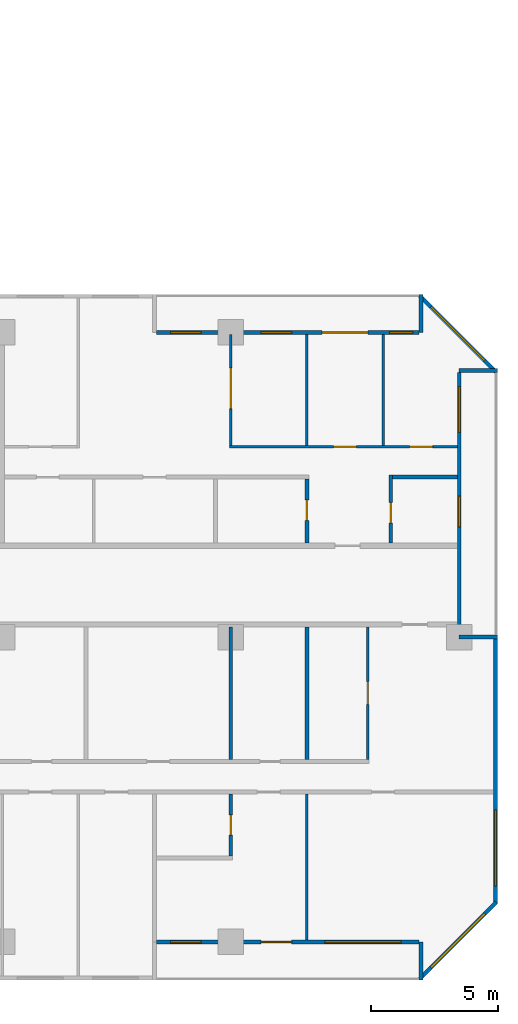
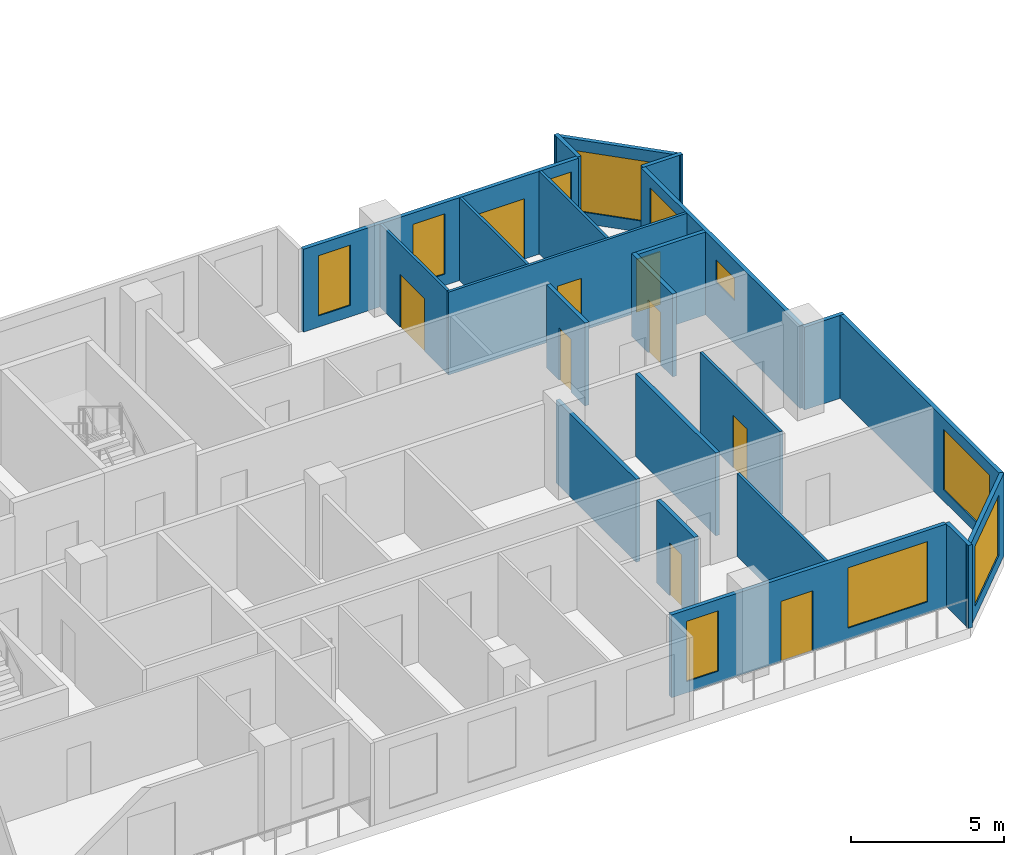
# One storey, part 12 of 15: 22 walls, 10 windows, 9 doors, 19 openings.
"""IFC4 building model written with IfcOpenShell, lengths in metres."""

import ifcopenshell
import ifcopenshell.guid

model = None  # the IFC model being written
_history = None  # IfcOwnerHistory: only IFC2X3 demands one
_inside = {}  # id of a spatial element -> (the spatial element, [elements in it])
_under = {}  # id of a project, library or spatial element -> (it, [spatial elements below it])
_declared = {}  # id of a project -> (the project, [libraries it declares])
_typed = {}  # id of a type object -> (the type object, [elements of that type])
_made_of = {}  # id of a material, layer set ... -> (it, [elements and type objects made of it])


def new_model(schema):
    """Start an empty IFC model of exactly this schema.

    Asked for "IFC4X3", IfcOpenShell would pick the latest addendum, in which some entities
    have other attributes; the version numbers below select the first issue.
    IFC2X3 requires an IfcOwnerHistory on every rooted entity: one is made here for all.
    """
    global model, _history
    if schema == "IFC4X3":
        model = ifcopenshell.file(schema_version=(4, 3, 0, 0))
    else:
        model = ifcopenshell.file(schema=schema)
    _inside.clear()
    _under.clear()
    _declared.clear()
    _typed.clear()
    _made_of.clear()
    _history = None
    if model.schema == "IFC2X3":
        org = make("IfcOrganization", Name="unknown")
        user = make(
            "IfcPersonAndOrganization",
            ThePerson=make("IfcPerson", FamilyName="unknown"),
            TheOrganization=org,
        )
        app = make(
            "IfcApplication",
            ApplicationDeveloper=org,
            Version="unknown",
            ApplicationFullName="unknown",
            ApplicationIdentifier="unknown",
        )
        _history = make(
            "IfcOwnerHistory",
            OwningUser=user,
            OwningApplication=app,
            ChangeAction="ADDED",
            CreationDate=0,
        )
    return model


def make(cls, **values):
    """One entity of the class cls with the attributes given. An attribute that is None is left unset."""
    return model.create_entity(
        cls, **{name: value for name, value in values.items() if value is not None}
    )


def rooted(cls, **values):
    """An entity with a GlobalId (a new one), such as an element, a storey or a relation."""
    return make(cls, GlobalId=ifcopenshell.guid.new(), OwnerHistory=_history, **values)


def si_unit(unit_type, name, prefix=None):
    """IfcSIUnit, for example si_unit("LENGTHUNIT", "METRE", prefix="MILLI")."""
    return make("IfcSIUnit", UnitType=unit_type, Prefix=prefix, Name=name)


def assignment(units):
    """IfcUnitAssignment: the units of a project."""
    return None if units is None else make("IfcUnitAssignment", Units=units)


def point(xyz):
    """IfcCartesianPoint."""
    return None if xyz is None else make("IfcCartesianPoint", Coordinates=xyz)


def direction(xyz):
    """IfcDirection."""
    return None if xyz is None else make("IfcDirection", DirectionRatios=xyz)


def frame(location, z_axis=None, x_axis=None):
    """IfcAxis2Placement3D, a coordinate frame: its origin and axes. An axis left out is left unset."""
    return make(
        "IfcAxis2Placement3D",
        Location=point(location),
        Axis=direction(z_axis),
        RefDirection=direction(x_axis),
    )


def frame_2d(location, x_axis=None):
    """IfcAxis2Placement2D, a coordinate frame in the plane: its origin and x axis."""
    return make(
        "IfcAxis2Placement2D", Location=point(location), RefDirection=direction(x_axis)
    )


def origin():
    """The frame at (0, 0, 0) with its axes left unset."""
    return frame((0.0, 0.0, 0.0))


def place(relative_to, where):
    """IfcLocalPlacement: puts the frame where relative to a parent placement (None: the world)."""
    return make(
        "IfcLocalPlacement", PlacementRelTo=relative_to, RelativePlacement=where
    )


def context(
    kind, dimensions, precision=None, world=None, true_north=None, identifier=None
):
    """IfcGeometricRepresentationContext, for example the 3D "Model" context."""
    return make(
        "IfcGeometricRepresentationContext",
        ContextIdentifier=identifier,
        ContextType=kind,
        CoordinateSpaceDimension=dimensions,
        Precision=precision,
        WorldCoordinateSystem=world,
        TrueNorth=true_north,
    )


def subcontext(parent, identifier, kind, view, scale=None):
    """IfcGeometricRepresentationSubContext, for example "Body" below "Model"."""
    return make(
        "IfcGeometricRepresentationSubContext",
        ContextIdentifier=identifier,
        ContextType=kind,
        ParentContext=parent,
        TargetScale=scale,
        TargetView=view,
    )


def project(units=None, contexts=None):
    """IfcProject with its units and contexts."""
    return rooted(
        "IfcProject",
        Name="project",
        RepresentationContexts=contexts,
        UnitsInContext=assignment(units),
    )


def spatial(cls, under=None, at=None, **own):
    """A site, building, storey or space (cls), placed at a placement, below another one or the project."""
    s = rooted(cls, ObjectPlacement=at, **own)
    if under is not None:
        _under.setdefault(under.id(), (under, []))[1].append(s)
    return s


def profile(cls, at=None, kind="AREA", **sizes):
    """A parametric profile (cls). Its sizes go by their IFC names, for example OverallWidth=200.0."""
    return make(cls, ProfileType=kind, Position=at, **sizes)


def rectangle(**sizes):
    """IfcRectangleProfileDef."""
    return profile("IfcRectangleProfileDef", **sizes)


def extrude(swept, where, along, depth):
    """IfcExtrudedAreaSolid: the profile swept, set in the frame where, extruded along a direction by depth."""
    return make(
        "IfcExtrudedAreaSolid",
        SweptArea=swept,
        Position=where,
        ExtrudedDirection=direction(along),
        Depth=depth,
    )


def shape(context_of_items, identifier, shape_type, items):
    """IfcShapeRepresentation: the items that make up one representation, for example the "Body"."""
    return make(
        "IfcShapeRepresentation",
        ContextOfItems=context_of_items,
        RepresentationIdentifier=identifier,
        RepresentationType=shape_type,
        Items=items,
    )


def material(Name=None, Category=None):
    """IfcMaterial."""
    return make("IfcMaterial", Name=Name, Category=Category)


def layer(
    of_material, thickness, ventilated=None, Name=None, Category=None, Priority=None
):
    """IfcMaterialLayer: one layer of a wall or slab, of a material (None: an air gap)."""
    return make(
        "IfcMaterialLayer",
        Material=of_material,
        LayerThickness=thickness,
        IsVentilated=ventilated,
        Name=Name,
        Category=Category,
        Priority=Priority,
    )


def layer_set(layers, Name=None):
    """IfcMaterialLayerSet."""
    return make("IfcMaterialLayerSet", MaterialLayers=layers, LayerSetName=Name)


def made_of(thing, what):
    """Note that an element or type object is made of a material, layer set ...; save() writes the relation."""
    if what is not None:
        _made_of.setdefault(what.id(), (what, []))[1].append(thing)
    return thing


def type_object(cls, material=None, **own):
    """A type object (cls), such as IfcWallType, which elements share."""
    return made_of(rooted(cls, **own), material)


def element(
    cls,
    number,
    at=None,
    inside=None,
    cuts=None,
    type_object=None,
    material=None,
    context=None,
    identifier="Body",
    shape_type=None,
    held_by="IfcProductDefinitionShape",
    body=None,
    shapes=None,
    **own,
):
    """One element of the class cls, such as IfcWall. Its Tag is "e" and its number.

    at: its placement. inside: the storey or other place that contains it. cuts: it is an
    opening in that element (IfcRelVoidsElement). A single representation is given by context,
    identifier, shape_type and body (its items); several are given by shapes. held_by: the class
    of the entity that holds the representations. save() writes the other relations.
    """
    e = rooted(cls, Tag="e%d" % number, ObjectPlacement=at, **own)
    if body is not None:
        shapes = [shape(context, identifier, shape_type, body)]
    if shapes is not None:
        e.Representation = make(held_by, Representations=shapes)
    if inside is not None:
        _inside.setdefault(inside.id(), (inside, []))[1].append(e)
    if cuts is not None:
        rooted(
            "IfcRelVoidsElement", RelatingBuildingElement=cuts, RelatedOpeningElement=e
        )
    if type_object is not None:
        _typed.setdefault(type_object.id(), (type_object, []))[1].append(e)
    return made_of(e, material)


def fill(opening, filler):
    """IfcRelFillsElement: the door or window that sits in an opening."""
    return rooted(
        "IfcRelFillsElement",
        RelatingOpeningElement=opening,
        RelatedBuildingElement=filler,
    )


def aggregate(whole, parts):
    """IfcRelAggregates: a whole, such as a stair, and the parts it consists of."""
    return rooted("IfcRelAggregates", RelatingObject=whole, RelatedObjects=parts)


def save(model, path):
    """Write the relations noted so far, then the file.

    IfcRelAggregates (storeys below a building ...), IfcRelContainedInSpatialStructure (elements
    in a storey), IfcRelDefinesByType, IfcRelAssociatesMaterial and IfcRelDeclares: one each for
    every whole, place, type object, material and project.
    """
    for whole, parts in _under.values():
        aggregate(whole, parts)
    for where, things in _inside.values():
        rooted(
            "IfcRelContainedInSpatialStructure",
            RelatedElements=things,
            RelatingStructure=where,
        )
    for kind, things in _typed.values():
        rooted("IfcRelDefinesByType", RelatedObjects=things, RelatingType=kind)
    for what, things in _made_of.values():
        rooted("IfcRelAssociatesMaterial", RelatedObjects=things, RelatingMaterial=what)
    for by, libraries in _declared.values():
        rooted("IfcRelDeclares", RelatingContext=by, RelatedDefinitions=libraries)
    model.write(path)


model = new_model("IFC4")

# Units and contexts
model_context = context("Model", 3, precision=1e-05, world=origin(), true_north=direction((0.0, 1.0)))
body_context = subcontext(model_context, "Body", "Model", "MODEL_VIEW")
ifc_project = project(units=[si_unit("LENGTHUNIT", "METRE"), si_unit("AREAUNIT", "SQUARE_METRE"), si_unit("VOLUMEUNIT", "CUBIC_METRE"), si_unit("PLANEANGLEUNIT", "RADIAN"), si_unit("MASSUNIT", "GRAM", prefix="KILO")], contexts=[model_context])

# Site, building, storey
site_placement = place(None, origin())
site = spatial("IfcSite", under=ifc_project, at=site_placement, CompositionType="ELEMENT")
building_placement = place(site_placement, origin())
building = spatial("IfcBuilding", under=site, at=building_placement, Name="Chenar Terraces", CompositionType="ELEMENT")
storey_placement = place(building_placement, frame((0.0, 0.0, 136.89990234375)))
storey = spatial("IfcBuildingStorey", under=building, at=storey_placement, Name="L32", CompositionType="ELEMENT", Elevation=136.89990234375)

# Wall, opening, window
ifc_material_1 = material(Name="Aluminium framed glazing", Category="aluminium")
ifc_layer_1 = layer(ifc_material_1, 0.14990234375)
ifc_layer_set_1 = layer_set([ifc_layer_1], Name="Aluminium framed glazing")
wall_type_1 = type_object("IfcWallType", Name="Glazed flush facade wall 150", PredefinedType="SOLIDWALL", material=ifc_layer_set_1)
wall_1_placement = place(storey_placement, frame((73.425048828125, 1.5, 0.0), z_axis=(0.0, 0.0, 1.0), x_axis=(0.0, 1.0, 0.0)))
wall_1 = element("IfcWall", 1, at=wall_1_placement, inside=storey, type_object=wall_type_1, Name="Glazed flush facade wall", PredefinedType="SOLIDWALL", context=body_context, shape_type="SweptSolid", body=[
    extrude(rectangle(XDim=10.425048828125, YDim=0.14990234375, at=frame_2d((5.21240234375, 0.0))), origin(), (0.0, 0.0, 1.0), 3.300048828125),
])
opening_1_placement = place(wall_1_placement, frame((0.699951171875, 0.0, 0.449951171875)))
opening_1 = element("IfcOpeningElement", 2, at=opening_1_placement, cuts=wall_1, Name="Opening W300x240", PredefinedType="OPENING", context=body_context, shape_type="SweptSolid", body=[
    extrude(rectangle(XDim=3.0, YDim=2.39990234375, at=frame_2d((1.5, 1.199951171875))), frame((0.0, 0.0849609375, 0.0), z_axis=(0.0, -1.0, 0.0), x_axis=(1.0, 0.0, 0.0)), (0.0, 0.0, 1.0), 0.169921875),
])
ifc_material_2 = material(Name="Low emissivity double glazing, aluminium frame", Category="aluminium")
window_type_1 = type_object("IfcWindowType", Name="Fixed light 3000 x 2400", PartitioningType="SINGLE_PANEL", PredefinedType="WINDOW", material=ifc_material_2)
window_1_placement = place(opening_1_placement, origin())
window_1 = element("IfcWindow", 3, at=window_1_placement, inside=storey, type_object=window_type_1, Name="Window", OverallHeight=2.39990234375, OverallWidth=3.0, PartitioningType="SINGLE_PANEL", PredefinedType="WINDOW", context=body_context, shape_type="SweptSolid", body=[
    extrude(rectangle(XDim=3.0, YDim=2.39990234375, at=frame_2d((1.5, 1.199951171875))), frame((0.0, 0.030029296875, 0.0), z_axis=(0.0, -1.0, 0.0), x_axis=(1.0, 0.0, 0.0)), (0.0, 0.0, 1.0), 0.06005859375),
])
fill(opening_1, window_1)

# Wall, openings, windows, door
ifc_material_3 = material(Name="Aluminium framed glazing", Category="aluminium")
ifc_layer_2 = layer(ifc_material_3, 0.14990234375)
ifc_layer_set_2 = layer_set([ifc_layer_2], Name="Aluminium framed glazing")
wall_type_2 = type_object("IfcWallType", Name="Glazed loggia back wall 150", PredefinedType="SOLIDWALL", material=ifc_layer_set_2)
wall_2_placement = place(storey_placement, frame((70.425048828125, 24.0, 0.0), z_axis=(0.0, 0.0, 1.0), x_axis=(-1.0, 0.0, 0.0)))
wall_2 = element("IfcWall", 4, at=wall_2_placement, inside=storey, type_object=wall_type_2, Name="Glazed loggia back wall", PredefinedType="SOLIDWALL", context=body_context, shape_type="SweptSolid", body=[
    extrude(rectangle(XDim=10.35009765625, YDim=0.14990234375, at=frame_2d((5.175048828125, 0.0))), origin(), (0.0, 0.0, 1.0), 3.300048828125),
])
opening_2_placement = place(wall_2_placement, frame((0.262451171875, 0.0, 0.449951171875)))
opening_2 = element("IfcOpeningElement", 5, at=opening_2_placement, cuts=wall_2, Name="Opening W90x240", PredefinedType="OPENING", context=body_context, shape_type="SweptSolid", body=[
    extrude(rectangle(XDim=0.89990234375, YDim=2.39990234375, at=frame_2d((0.449951171875, 1.199951171875))), frame((0.0, 0.0849609375, 0.0), z_axis=(0.0, -1.0, 0.0), x_axis=(1.0, 0.0, 0.0)), (0.0, 0.0, 1.0), 0.169921875),
])
opening_3_placement = place(wall_2_placement, frame((2.02490234375, 0.0, 0.0)))
opening_3 = element("IfcOpeningElement", 6, at=opening_3_placement, cuts=wall_2, Name="Opening DL32-G1", PredefinedType="OPENING", context=body_context, shape_type="SweptSolid", body=[
    extrude(rectangle(XDim=1.800048828125, YDim=2.39990234375, at=frame_2d((0.89990234375, 1.199951171875))), frame((0.0, 0.0849609375, 0.0), z_axis=(0.0, -1.0, 0.0), x_axis=(1.0, 0.0, 0.0)), (0.0, 0.0, 1.0), 0.169921875),
])
opening_4_placement = place(wall_2_placement, frame((5.02490234375, 0.0, 0.449951171875)))
opening_4 = element("IfcOpeningElement", 7, at=opening_4_placement, cuts=wall_2, Name="Opening W120x240", PredefinedType="OPENING", context=body_context, shape_type="SweptSolid", body=[
    extrude(rectangle(XDim=1.199951171875, YDim=2.39990234375, at=frame_2d((0.60009765625, 1.199951171875))), frame((0.0, 0.0849609375, 0.0), z_axis=(0.0, -1.0, 0.0), x_axis=(1.0, 0.0, 0.0)), (0.0, 0.0, 1.0), 0.169921875),
])
opening_5_placement = place(wall_2_placement, frame((8.58740234375, 0.0, 0.449951171875)))
opening_5 = element("IfcOpeningElement", 8, at=opening_5_placement, cuts=wall_2, Name="Opening W120x240", PredefinedType="OPENING", context=body_context, shape_type="SweptSolid", body=[
    extrude(rectangle(XDim=1.199951171875, YDim=2.39990234375, at=frame_2d((0.60009765625, 1.199951171875))), frame((0.0, 0.0849609375, 0.0), z_axis=(0.0, -1.0, 0.0), x_axis=(1.0, 0.0, 0.0)), (0.0, 0.0, 1.0), 0.169921875),
])
ifc_material_4 = material(Name="Low emissivity double glazing, aluminium frame", Category="aluminium")
window_type_2 = type_object("IfcWindowType", Name="Fixed light 1200 x 2400", PartitioningType="SINGLE_PANEL", PredefinedType="WINDOW", material=ifc_material_4)
window_2_placement = place(opening_4_placement, origin())
window_2 = element("IfcWindow", 9, at=window_2_placement, inside=storey, type_object=window_type_2, Name="Window", OverallHeight=2.39990234375, OverallWidth=1.199951171875, PartitioningType="SINGLE_PANEL", PredefinedType="WINDOW", context=body_context, shape_type="SweptSolid", body=[
    extrude(rectangle(XDim=1.199951171875, YDim=2.39990234375, at=frame_2d((0.60009765625, 1.199951171875))), frame((0.0, 0.030029296875, 0.0), z_axis=(0.0, -1.0, 0.0), x_axis=(1.0, 0.0, 0.0)), (0.0, 0.0, 1.0), 0.06005859375),
])
fill(opening_4, window_2)
window_3_placement = place(opening_5_placement, origin())
window_3 = element("IfcWindow", 10, at=window_3_placement, inside=storey, type_object=window_type_2, Name="Window", OverallHeight=2.39990234375, OverallWidth=1.199951171875, PartitioningType="SINGLE_PANEL", PredefinedType="WINDOW", context=body_context, shape_type="SweptSolid", body=[
    extrude(rectangle(XDim=1.199951171875, YDim=2.39990234375, at=frame_2d((0.60009765625, 1.199951171875))), frame((0.0, 0.030029296875, 0.0), z_axis=(0.0, -1.0, 0.0), x_axis=(1.0, 0.0, 0.0)), (0.0, 0.0, 1.0), 0.06005859375),
])
fill(opening_5, window_3)
ifc_material_5 = material(Name="Low emissivity double glazing, aluminium frame", Category="aluminium")
window_type_3 = type_object("IfcWindowType", Name="Fixed light 900 x 2400", PartitioningType="SINGLE_PANEL", PredefinedType="WINDOW", material=ifc_material_5)
window_4_placement = place(opening_2_placement, origin())
window_4 = element("IfcWindow", 11, at=window_4_placement, inside=storey, type_object=window_type_3, Name="Window", OverallHeight=2.39990234375, OverallWidth=0.89990234375, PartitioningType="SINGLE_PANEL", PredefinedType="WINDOW", context=body_context, shape_type="SweptSolid", body=[
    extrude(rectangle(XDim=0.89990234375, YDim=2.39990234375, at=frame_2d((0.449951171875, 1.199951171875))), frame((0.0, 0.030029296875, 0.0), z_axis=(0.0, -1.0, 0.0), x_axis=(1.0, 0.0, 0.0)), (0.0, 0.0, 1.0), 0.06005859375),
])
fill(opening_2, window_4)
ifc_material_6 = material(Name="Low emissivity double glazing, aluminium frame", Category="aluminium")
door_type_1 = type_object("IfcDoorType", Name="Loggia glazed double door 1800 x 2400", OperationType="DOUBLE_DOOR_SINGLE_SWING", PredefinedType="DOOR", material=ifc_material_6)
door_1_placement = place(opening_3_placement, frame((1.800048828125, 0.0, 0.0), z_axis=(0.0, 0.0, 1.0), x_axis=(-1.0, 0.0, 0.0)))
door_1 = element("IfcDoor", 12, at=door_1_placement, inside=storey, type_object=door_type_1, Name="Loggia glazed door", OperationType="DOUBLE_DOOR_SINGLE_SWING", OverallHeight=2.39990234375, OverallWidth=1.800048828125, PredefinedType="DOOR", context=body_context, shape_type="SweptSolid", body=[
    extrude(rectangle(XDim=1.800048828125, YDim=2.39990234375, at=frame_2d((0.89990234375, 1.199951171875))), frame((0.0, 0.02490234375, 0.0), z_axis=(0.0, -1.0, 0.0), x_axis=(1.0, 0.0, 0.0)), (0.0, 0.0, 1.0), 0.050048828125),
])
fill(opening_3, door_1)

wall_3_placement = place(storey_placement, frame((60.074951171875, 0.0, 0.0), z_axis=(0.0, 0.0, 1.0), x_axis=(1.0, 0.0, 0.0)))
wall_3 = element("IfcWall", 13, at=wall_3_placement, inside=storey, type_object=wall_type_2, Name="Glazed loggia back wall", PredefinedType="SOLIDWALL", context=body_context, shape_type="SweptSolid", body=[
    extrude(rectangle(XDim=10.35009765625, YDim=0.14990234375, at=frame_2d((5.175048828125, 0.0))), origin(), (0.0, 0.0, 1.0), 3.300048828125),
])
opening_6_placement = place(wall_3_placement, frame((0.5625, 0.0, 0.449951171875)))
opening_6 = element("IfcOpeningElement", 14, at=opening_6_placement, cuts=wall_3, Name="Opening W120x240", PredefinedType="OPENING", context=body_context, shape_type="SweptSolid", body=[
    extrude(rectangle(XDim=1.199951171875, YDim=2.39990234375, at=frame_2d((0.60009765625, 1.199951171875))), frame((0.0, 0.0849609375, 0.0), z_axis=(0.0, -1.0, 0.0), x_axis=(1.0, 0.0, 0.0)), (0.0, 0.0, 1.0), 0.169921875),
])
opening_7_placement = place(wall_3_placement, frame((4.125, 0.0, 0.0)))
opening_7 = element("IfcOpeningElement", 15, at=opening_7_placement, cuts=wall_3, Name="Opening DL32-G7", PredefinedType="OPENING", context=body_context, shape_type="SweptSolid", body=[
    extrude(rectangle(XDim=1.199951171875, YDim=2.39990234375, at=frame_2d((0.60009765625, 1.199951171875))), frame((0.0, 0.0849609375, 0.0), z_axis=(0.0, -1.0, 0.0), x_axis=(1.0, 0.0, 0.0)), (0.0, 0.0, 1.0), 0.169921875),
])
opening_8_placement = place(wall_3_placement, frame((6.637451171875, 0.0, 0.449951171875)))
opening_8 = element("IfcOpeningElement", 16, at=opening_8_placement, cuts=wall_3, Name="Opening W300x240", PredefinedType="OPENING", context=body_context, shape_type="SweptSolid", body=[
    extrude(rectangle(XDim=3.0, YDim=2.39990234375, at=frame_2d((1.5, 1.199951171875))), frame((0.0, 0.0849609375, 0.0), z_axis=(0.0, -1.0, 0.0), x_axis=(1.0, 0.0, 0.0)), (0.0, 0.0, 1.0), 0.169921875),
])
window_5_placement = place(opening_6_placement, origin())
window_5 = element("IfcWindow", 17, at=window_5_placement, inside=storey, type_object=window_type_2, Name="Window", OverallHeight=2.39990234375, OverallWidth=1.199951171875, PartitioningType="SINGLE_PANEL", PredefinedType="WINDOW", context=body_context, shape_type="SweptSolid", body=[
    extrude(rectangle(XDim=1.199951171875, YDim=2.39990234375, at=frame_2d((0.60009765625, 1.199951171875))), frame((0.0, 0.030029296875, 0.0), z_axis=(0.0, -1.0, 0.0), x_axis=(1.0, 0.0, 0.0)), (0.0, 0.0, 1.0), 0.06005859375),
])
fill(opening_6, window_5)
window_6_placement = place(opening_8_placement, origin())
window_6 = element("IfcWindow", 18, at=window_6_placement, inside=storey, type_object=window_type_1, Name="Window", OverallHeight=2.39990234375, OverallWidth=3.0, PartitioningType="SINGLE_PANEL", PredefinedType="WINDOW", context=body_context, shape_type="SweptSolid", body=[
    extrude(rectangle(XDim=3.0, YDim=2.39990234375, at=frame_2d((1.5, 1.199951171875))), frame((0.0, 0.030029296875, 0.0), z_axis=(0.0, -1.0, 0.0), x_axis=(1.0, 0.0, 0.0)), (0.0, 0.0, 1.0), 0.06005859375),
])
fill(opening_8, window_6)
ifc_material_7 = material(Name="Low emissivity double glazing, aluminium frame", Category="aluminium")
door_type_2 = type_object("IfcDoorType", Name="Loggia glazed double door 1200 x 2400", OperationType="DOUBLE_DOOR_SINGLE_SWING", PredefinedType="DOOR", material=ifc_material_7)
door_2_placement = place(opening_7_placement, frame((1.199951171875, 0.0, 0.0), z_axis=(0.0, 0.0, 1.0), x_axis=(-1.0, 0.0, 0.0)))
door_2 = element("IfcDoor", 19, at=door_2_placement, inside=storey, type_object=door_type_2, Name="Loggia glazed door", OperationType="DOUBLE_DOOR_SINGLE_SWING", OverallHeight=2.39990234375, OverallWidth=1.199951171875, PredefinedType="DOOR", context=body_context, shape_type="SweptSolid", body=[
    extrude(rectangle(XDim=1.199951171875, YDim=2.39990234375, at=frame_2d((0.60009765625, 1.199951171875))), frame((0.0, 0.02490234375, 0.0), z_axis=(0.0, -1.0, 0.0), x_axis=(1.0, 0.0, 0.0)), (0.0, 0.0, 1.0), 0.050048828125),
])
fill(opening_7, door_2)

# Wall, openings, windows
wall_4_placement = place(storey_placement, frame((72.0, 12.074951171875, 0.0), z_axis=(0.0, 0.0, 1.0), x_axis=(0.0, 1.0, 0.0)))
wall_4 = element("IfcWall", 20, at=wall_4_placement, inside=storey, type_object=wall_type_2, Name="Glazed loggia back wall", PredefinedType="SOLIDWALL", context=body_context, shape_type="SweptSolid", body=[
    extrude(rectangle(XDim=10.35009765625, YDim=0.14990234375, at=frame_2d((5.175048828125, 0.0))), origin(), (0.0, 0.0, 1.0), 3.300048828125),
])
opening_9_placement = place(wall_4_placement, frame((4.27490234375, 0.0, 1.699951171875)))
opening_9 = element("IfcOpeningElement", 21, at=opening_9_placement, cuts=wall_4, Name="Opening W120x90", PredefinedType="OPENING", context=body_context, shape_type="SweptSolid", body=[
    extrude(rectangle(XDim=1.199951171875, YDim=0.89990234375, at=frame_2d((0.60009765625, 0.449951171875))), frame((0.0, 0.0849609375, 0.0), z_axis=(0.0, -1.0, 0.0), x_axis=(1.0, 0.0, 0.0)), (0.0, 0.0, 1.0), 0.169921875),
])
opening_10_placement = place(wall_4_placement, frame((7.987548828125, 0.0, 0.449951171875)))
opening_10 = element("IfcOpeningElement", 22, at=opening_10_placement, cuts=wall_4, Name="Opening W180x240", PredefinedType="OPENING", context=body_context, shape_type="SweptSolid", body=[
    extrude(rectangle(XDim=1.800048828125, YDim=2.39990234375, at=frame_2d((0.89990234375, 1.199951171875))), frame((0.0, 0.0849609375, 0.0), z_axis=(0.0, -1.0, 0.0), x_axis=(1.0, 0.0, 0.0)), (0.0, 0.0, 1.0), 0.169921875),
])
ifc_material_8 = material(Name="Low emissivity double glazing, aluminium frame", Category="aluminium")
window_type_4 = type_object("IfcWindowType", Name="Fixed light 1200 x 900", PartitioningType="SINGLE_PANEL", PredefinedType="WINDOW", material=ifc_material_8)
window_7_placement = place(opening_9_placement, origin())
window_7 = element("IfcWindow", 23, at=window_7_placement, inside=storey, type_object=window_type_4, Name="Window", OverallHeight=0.89990234375, OverallWidth=1.199951171875, PartitioningType="SINGLE_PANEL", PredefinedType="WINDOW", context=body_context, shape_type="SweptSolid", body=[
    extrude(rectangle(XDim=1.199951171875, YDim=0.89990234375, at=frame_2d((0.60009765625, 0.449951171875))), frame((0.0, 0.030029296875, 0.0), z_axis=(0.0, -1.0, 0.0), x_axis=(1.0, 0.0, 0.0)), (0.0, 0.0, 1.0), 0.06005859375),
])
fill(opening_9, window_7)
ifc_material_9 = material(Name="Low emissivity double glazing, aluminium frame", Category="aluminium")
window_type_5 = type_object("IfcWindowType", Name="Fixed light 1800 x 2400", PartitioningType="SINGLE_PANEL", PredefinedType="WINDOW", material=ifc_material_9)
window_8_placement = place(opening_10_placement, origin())
window_8 = element("IfcWindow", 24, at=window_8_placement, inside=storey, type_object=window_type_5, Name="Window", OverallHeight=2.39990234375, OverallWidth=1.800048828125, PartitioningType="SINGLE_PANEL", PredefinedType="WINDOW", context=body_context, shape_type="SweptSolid", body=[
    extrude(rectangle(XDim=1.800048828125, YDim=2.39990234375, at=frame_2d((0.89990234375, 1.199951171875))), frame((0.0, 0.030029296875, 0.0), z_axis=(0.0, -1.0, 0.0), x_axis=(1.0, 0.0, 0.0)), (0.0, 0.0, 1.0), 0.06005859375),
])
fill(opening_10, window_8)

# Wall, openings, doors
ifc_material_10 = material(Name="Gypsum board on steel studs", Category="steel")
ifc_layer_3 = layer(ifc_material_10, 0.10009765625)
ifc_layer_set_3 = layer_set([ifc_layer_3], Name="Gypsum board on steel studs")
wall_type_3 = type_object("IfcWallType", Name="Gypsum partition 100", PredefinedType="PARTITIONING", material=ifc_layer_set_3)
wall_5_placement = place(storey_placement, frame((62.949951171875, 19.5, 0.0), z_axis=(0.0, 0.0, 1.0), x_axis=(1.0, 0.0, 0.0)))
wall_5 = element("IfcWall", 25, at=wall_5_placement, inside=storey, type_object=wall_type_3, Name="Partition L32-092", PredefinedType="PARTITIONING", context=body_context, shape_type="SweptSolid", body=[
    extrude(rectangle(XDim=8.97607421875, YDim=0.10009765625, at=frame_2d((4.488037109375, 0.0))), origin(), (0.0, 0.0, 1.0), 3.300048828125),
])
opening_11_placement = place(wall_5_placement, frame((4.10009765625, 0.0, 0.0)))
opening_11 = element("IfcOpeningElement", 26, at=opening_11_placement, cuts=wall_5, Name="Opening DL32-5", PredefinedType="OPENING", context=body_context, shape_type="SweptSolid", body=[
    extrude(rectangle(XDim=0.89990234375, YDim=2.10009765625, at=frame_2d((0.449951171875, 1.050048828125))), frame((0.0, 0.06005859375, 0.0), z_axis=(0.0, -1.0, 0.0), x_axis=(1.0, 0.0, 0.0)), (0.0, 0.0, 1.0), 0.1201171875),
])
opening_12_placement = place(wall_5_placement, frame((7.10009765625, 0.0, 0.0)))
opening_12 = element("IfcOpeningElement", 27, at=opening_12_placement, cuts=wall_5, Name="Opening DL32-6", PredefinedType="OPENING", context=body_context, shape_type="SweptSolid", body=[
    extrude(rectangle(XDim=0.89990234375, YDim=2.10009765625, at=frame_2d((0.449951171875, 1.050048828125))), frame((0.0, 0.06005859375, 0.0), z_axis=(0.0, -1.0, 0.0), x_axis=(1.0, 0.0, 0.0)), (0.0, 0.0, 1.0), 0.1201171875),
])
ifc_material_11 = material(Name="Veneered timber door leaf", Category="wood")
door_type_3 = type_object("IfcDoorType", Name="Door 900 x 2100", OperationType="SINGLE_SWING_LEFT", PredefinedType="DOOR", material=ifc_material_11)
door_3_placement = place(opening_11_placement, origin())
door_3 = element("IfcDoor", 28, at=door_3_placement, inside=storey, type_object=door_type_3, Name="Door DL32-5", OperationType="SINGLE_SWING_LEFT", OverallHeight=2.10009765625, OverallWidth=0.89990234375, PredefinedType="DOOR", context=body_context, shape_type="SweptSolid", body=[
    extrude(rectangle(XDim=0.89990234375, YDim=2.10009765625, at=frame_2d((0.449951171875, 1.050048828125))), frame((0.0, 0.02490234375, 0.0), z_axis=(0.0, -1.0, 0.0), x_axis=(1.0, 0.0, 0.0)), (0.0, 0.0, 1.0), 0.050048828125),
])
fill(opening_11, door_3)
door_4_placement = place(opening_12_placement, origin())
door_4 = element("IfcDoor", 29, at=door_4_placement, inside=storey, type_object=door_type_3, Name="Door DL32-6", OperationType="SINGLE_SWING_LEFT", OverallHeight=2.10009765625, OverallWidth=0.89990234375, PredefinedType="DOOR", context=body_context, shape_type="SweptSolid", body=[
    extrude(rectangle(XDim=0.89990234375, YDim=2.10009765625, at=frame_2d((0.449951171875, 1.050048828125))), frame((0.0, 0.02490234375, 0.0), z_axis=(0.0, -1.0, 0.0), x_axis=(1.0, 0.0, 0.0)), (0.0, 0.0, 1.0), 0.050048828125),
])
fill(opening_12, door_4)

# Wall, opening, door
wall_6_placement = place(storey_placement, frame((63.0, 19.550048828125, 0.0), z_axis=(0.0, 0.0, 1.0), x_axis=(0.0, 1.0, 0.0)))
wall_6 = element("IfcWall", 30, at=wall_6_placement, inside=storey, type_object=wall_type_3, Name="Partition L32-095", PredefinedType="PARTITIONING", context=body_context, shape_type="SweptSolid", body=[
    extrude(rectangle(XDim=4.3759765625, YDim=0.10009765625, at=frame_2d((2.18798828125, 0.0))), origin(), (0.0, 0.0, 1.0), 3.300048828125),
])
opening_13_placement = place(wall_6_placement, frame((1.449951171875, 0.0, 0.0)))
opening_13 = element("IfcOpeningElement", 31, at=opening_13_placement, cuts=wall_6, Name="Opening DL32-10", PredefinedType="OPENING", context=body_context, shape_type="SweptSolid", body=[
    extrude(rectangle(XDim=1.60009765625, YDim=2.10009765625, at=frame_2d((0.800048828125, 1.050048828125))), frame((0.0, 0.06005859375, 0.0), z_axis=(0.0, -1.0, 0.0), x_axis=(1.0, 0.0, 0.0)), (0.0, 0.0, 1.0), 0.1201171875),
])
ifc_material_12 = material(Name="Veneered timber door leaf", Category="wood")
door_type_4 = type_object("IfcDoorType", Name="Double door 1600 x 2100", OperationType="DOUBLE_DOOR_SINGLE_SWING", PredefinedType="DOOR", material=ifc_material_12)
door_5_placement = place(opening_13_placement, frame((1.60009765625, 0.0, 0.0), z_axis=(0.0, 0.0, 1.0), x_axis=(-1.0, 0.0, 0.0)))
door_5 = element("IfcDoor", 32, at=door_5_placement, inside=storey, type_object=door_type_4, Name="Door DL32-10", OperationType="DOUBLE_DOOR_SINGLE_SWING", OverallHeight=2.10009765625, OverallWidth=1.60009765625, PredefinedType="DOOR", context=body_context, shape_type="SweptSolid", body=[
    extrude(rectangle(XDim=1.60009765625, YDim=2.10009765625, at=frame_2d((0.800048828125, 1.050048828125))), frame((0.0, 0.02490234375, 0.0), z_axis=(0.0, -1.0, 0.0), x_axis=(1.0, 0.0, 0.0)), (0.0, 0.0, 1.0), 0.050048828125),
])
fill(opening_13, door_5)

# Walls
wall_7_placement = place(storey_placement, frame((66.0, 0.073974609375, 0.0), z_axis=(0.0, 0.0, 1.0), x_axis=(0.0, 1.0, 0.0)))
element("IfcWall", 33, at=wall_7_placement, inside=storey, type_object=wall_type_3, Name="Partition L32-096", PredefinedType="PARTITIONING", context=body_context, shape_type="SweptSolid", body=[
    extrude(rectangle(XDim=5.7509765625, YDim=0.10009765625, at=frame_2d((2.87548828125, 0.0))), origin(), (0.0, 0.0, 1.0), 3.300048828125),
])
wall_8_placement = place(storey_placement, frame((66.0, 19.550048828125, 0.0), z_axis=(0.0, 0.0, 1.0), x_axis=(0.0, 1.0, 0.0)))
element("IfcWall", 34, at=wall_8_placement, inside=storey, type_object=wall_type_3, Name="Partition L32-099", PredefinedType="PARTITIONING", context=body_context, shape_type="SweptSolid", body=[
    extrude(rectangle(XDim=4.3759765625, YDim=0.10009765625, at=frame_2d((2.18798828125, 0.0))), origin(), (0.0, 0.0, 1.0), 3.300048828125),
])

# Wall, opening, door
wall_9_placement = place(storey_placement, frame((68.39990234375, 7.175048828125, 0.0), z_axis=(0.0, 0.0, 1.0), x_axis=(0.0, 1.0, 0.0)))
wall_9 = element("IfcWall", 35, at=wall_9_placement, inside=storey, type_object=wall_type_3, Name="Partition L32-100", PredefinedType="PARTITIONING", context=body_context, shape_type="SweptSolid", body=[
    extrude(rectangle(XDim=5.224853515625, YDim=0.10009765625, at=frame_2d((2.6123046875, 0.0))), origin(), (0.0, 0.0, 1.0), 3.300048828125),
])
opening_14_placement = place(wall_9_placement, frame((2.175048828125, 0.0, 0.0)))
opening_14 = element("IfcOpeningElement", 36, at=opening_14_placement, cuts=wall_9, Name="Opening DL32-26", PredefinedType="OPENING", context=body_context, shape_type="SweptSolid", body=[
    extrude(rectangle(XDim=0.89990234375, YDim=2.10009765625, at=frame_2d((0.449951171875, 1.050048828125))), frame((0.0, 0.06005859375, 0.0), z_axis=(0.0, -1.0, 0.0), x_axis=(1.0, 0.0, 0.0)), (0.0, 0.0, 1.0), 0.1201171875),
])
door_6_placement = place(opening_14_placement, origin())
door_6 = element("IfcDoor", 37, at=door_6_placement, inside=storey, type_object=door_type_3, Name="Door DL32-26", OperationType="SINGLE_SWING_RIGHT", OverallHeight=2.10009765625, OverallWidth=0.89990234375, PredefinedType="DOOR", context=body_context, shape_type="SweptSolid", body=[
    extrude(rectangle(XDim=0.89990234375, YDim=2.10009765625, at=frame_2d((0.449951171875, 1.050048828125))), frame((0.0, 0.02490234375, 0.0), z_axis=(0.0, -1.0, 0.0), x_axis=(1.0, 0.0, 0.0)), (0.0, 0.0, 1.0), 0.050048828125),
])
fill(opening_14, door_6)

# Walls
wall_10_placement = place(storey_placement, frame((69.0, 19.550048828125, 0.0), z_axis=(0.0, 0.0, 1.0), x_axis=(0.0, 1.0, 0.0)))
element("IfcWall", 38, at=wall_10_placement, inside=storey, type_object=wall_type_3, Name="Partition L32-101", PredefinedType="PARTITIONING", context=body_context, shape_type="SweptSolid", body=[
    extrude(rectangle(XDim=4.3759765625, YDim=0.10009765625, at=frame_2d((2.18798828125, 0.0))), origin(), (0.0, 0.0, 1.0), 3.300048828125),
])
ifc_material_13 = material(Name="Terracotta cladding on insulated backing", Category="masonry")
ifc_layer_4 = layer(ifc_material_13, 0.14990234375)
ifc_layer_set_4 = layer_set([ifc_layer_4], Name="Terracotta cladding on insulated backing")
wall_type_4 = type_object("IfcWallType", Name="Loggia return wall 150", PredefinedType="SOLIDWALL", material=ifc_layer_set_4)
for number, where, z_axis, x_axis, name in (
    (39, (70.5, 25.5, 0.0), (0.0, 0.0, 1.0), (0.0, -1.0, 0.0), "Loggia return wall"),
    (40, (70.5, -1.5, 0.0), (0.0, 0.0, 1.0), (0.0, 1.0, 0.0), "Loggia return wall"),
    (41, (73.5, 12.0, 0.0), (0.0, 0.0, 1.0), (-1.0, 0.0, 0.0), "Loggia return wall"),
    (42, (73.5, 22.5, 0.0), (0.0, 0.0, 1.0), (-1.0, 0.0, 0.0), "Loggia return wall"),
):
    element("IfcWall", number, at=place(storey_placement, frame(where, z_axis=z_axis, x_axis=x_axis)), inside=storey, type_object=wall_type_4, Name=name, PredefinedType="SOLIDWALL", context=body_context, shape_type="SweptSolid", body=[
        extrude(rectangle(XDim=1.5, YDim=0.14990234375, at=frame_2d((0.75, 0.0))), origin(), (0.0, 0.0, 1.0), 3.300048828125),
    ])

# Wall, opening, window
ifc_material_14 = material(Name="Terracotta cladding on insulated backing", Category="masonry")
ifc_layer_5 = layer(ifc_material_14, 0.14990234375)
ifc_layer_set_5 = layer_set([ifc_layer_5], Name="Terracotta cladding on insulated backing")
wall_type_5 = type_object("IfcWallType", Name="Terracotta rainscreen wall 150", PredefinedType="SOLIDWALL", material=ifc_layer_set_5)
wall_11_placement = place(storey_placement, frame((70.447021484375, -1.447021484375, 0.0), z_axis=(0.0, 0.0, 1.0), x_axis=(0.707106781187, 0.707106781187, 0.0)))
wall_11 = element("IfcWall", 43, at=wall_11_placement, inside=storey, type_object=wall_type_5, Name="Terracotta rainscreen wall", PredefinedType="SOLIDWALL", context=body_context, shape_type="SweptSolid", body=[
    extrude(rectangle(XDim=4.24267578125, YDim=0.14990234375, at=frame_2d((2.121337890625, 0.0))), origin(), (0.0, 0.0, 1.0), 3.300048828125),
])
opening_15_placement = place(wall_11_placement, frame((0.621337890625, 0.0, 0.449951171875)))
opening_15 = element("IfcOpeningElement", 44, at=opening_15_placement, cuts=wall_11, Name="Opening W300x240", PredefinedType="OPENING", context=body_context, shape_type="SweptSolid", body=[
    extrude(rectangle(XDim=3.0, YDim=2.39990234375, at=frame_2d((1.5, 1.199951171875))), frame((0.0, 0.0849609375, 0.0), z_axis=(0.0, -1.0, 0.0), x_axis=(1.0, 0.0, 0.0)), (0.0, 0.0, 1.0), 0.169921875),
])
window_9_placement = place(opening_15_placement, origin())
window_9 = element("IfcWindow", 45, at=window_9_placement, inside=storey, type_object=window_type_1, Name="Window", OverallHeight=2.39990234375, OverallWidth=3.0, PartitioningType="SINGLE_PANEL", PredefinedType="WINDOW", context=body_context, shape_type="SweptSolid", body=[
    extrude(rectangle(XDim=3.0, YDim=2.39990234375, at=frame_2d((1.5, 1.199951171875))), frame((0.0, 0.030029296875, 0.0), z_axis=(0.0, -1.0, 0.0), x_axis=(1.0, 0.0, 0.0)), (0.0, 0.0, 1.0), 0.06005859375),
])
fill(opening_15, window_9)

wall_12_placement = place(storey_placement, frame((73.447021484375, 22.447021484375, 0.0), z_axis=(0.0, 0.0, 1.0), x_axis=(-0.707106781187, 0.707106781187, 0.0)))
wall_12 = element("IfcWall", 46, at=wall_12_placement, inside=storey, type_object=wall_type_5, Name="Terracotta rainscreen wall", PredefinedType="SOLIDWALL", context=body_context, shape_type="SweptSolid", body=[
    extrude(rectangle(XDim=4.24267578125, YDim=0.14990234375, at=frame_2d((2.121337890625, 0.0))), origin(), (0.0, 0.0, 1.0), 3.300048828125),
])
opening_16_placement = place(wall_12_placement, frame((0.621337890625, 0.0, 0.449951171875)))
opening_16 = element("IfcOpeningElement", 47, at=opening_16_placement, cuts=wall_12, Name="Opening W300x240", PredefinedType="OPENING", context=body_context, shape_type="SweptSolid", body=[
    extrude(rectangle(XDim=3.0, YDim=2.39990234375, at=frame_2d((1.5, 1.199951171875))), frame((0.0, 0.0849609375, 0.0), z_axis=(0.0, -1.0, 0.0), x_axis=(1.0, 0.0, 0.0)), (0.0, 0.0, 1.0), 0.169921875),
])
window_10_placement = place(opening_16_placement, origin())
window_10 = element("IfcWindow", 48, at=window_10_placement, inside=storey, type_object=window_type_1, Name="Window", OverallHeight=2.39990234375, OverallWidth=3.0, PartitioningType="SINGLE_PANEL", PredefinedType="WINDOW", context=body_context, shape_type="SweptSolid", body=[
    extrude(rectangle(XDim=3.0, YDim=2.39990234375, at=frame_2d((1.5, 1.199951171875))), frame((0.0, 0.030029296875, 0.0), z_axis=(0.0, -1.0, 0.0), x_axis=(1.0, 0.0, 0.0)), (0.0, 0.0, 1.0), 0.06005859375),
])
fill(opening_16, window_10)

# Wall, opening, door
ifc_material_15 = material(Name="Moisture-resistant gypsum board on steel studs", Category="steel")
ifc_layer_6 = layer(ifc_material_15, 0.14990234375)
ifc_layer_set_6 = layer_set([ifc_layer_6], Name="Moisture-resistant gypsum board on steel studs")
wall_type_6 = type_object("IfcWallType", Name="Wet-room partition 150", PredefinedType="PARTITIONING", material=ifc_layer_set_6)
wall_13_placement = place(storey_placement, frame((63.0, 3.375, 0.0), z_axis=(0.0, 0.0, 1.0), x_axis=(0.0, 1.0, 0.0)))
wall_13 = element("IfcWall", 49, at=wall_13_placement, inside=storey, type_object=wall_type_6, Name="Partition L32-093", PredefinedType="PARTITIONING", context=body_context, shape_type="SweptSolid", body=[
    extrude(rectangle(XDim=2.449951171875, YDim=0.14990234375, at=frame_2d((1.22509765625, 0.0))), origin(), (0.0, 0.0, 1.0), 3.300048828125),
])
opening_17_placement = place(wall_13_placement, frame((0.824951171875, 0.0, 0.0)))
opening_17 = element("IfcOpeningElement", 50, at=opening_17_placement, cuts=wall_13, Name="Opening DL32-17", PredefinedType="OPENING", context=body_context, shape_type="SweptSolid", body=[
    extrude(rectangle(XDim=0.800048828125, YDim=2.10009765625, at=frame_2d((0.39990234375, 1.050048828125))), frame((0.0, 0.0849609375, 0.0), z_axis=(0.0, -1.0, 0.0), x_axis=(1.0, 0.0, 0.0)), (0.0, 0.0, 1.0), 0.169921875),
])
ifc_material_16 = material(Name="Veneered timber door leaf", Category="wood")
door_type_5 = type_object("IfcDoorType", Name="Door 800 x 2100", OperationType="SINGLE_SWING_LEFT", PredefinedType="DOOR", material=ifc_material_16)
door_7_placement = place(opening_17_placement, origin())
door_7 = element("IfcDoor", 51, at=door_7_placement, inside=storey, type_object=door_type_5, Name="Door DL32-17", OperationType="SINGLE_SWING_RIGHT", OverallHeight=2.10009765625, OverallWidth=0.800048828125, PredefinedType="DOOR", context=body_context, shape_type="SweptSolid", body=[
    extrude(rectangle(XDim=0.800048828125, YDim=2.10009765625, at=frame_2d((0.39990234375, 1.050048828125))), frame((0.0, 0.02490234375, 0.0), z_axis=(0.0, -1.0, 0.0), x_axis=(1.0, 0.0, 0.0)), (0.0, 0.0, 1.0), 0.050048828125),
])
fill(opening_17, door_7)

# Walls
for number, where, z_axis, x_axis, name in (
    (52, (63.0, 7.175048828125, 0.0), (0.0, 0.0, 1.0), (0.0, 1.0, 0.0), "Partition L32-094"),
    (53, (66.0, 7.175048828125, 0.0), (0.0, 0.0, 1.0), (0.0, 1.0, 0.0), "Partition L32-097"),
):
    element("IfcWall", number, at=place(storey_placement, frame(where, z_axis=z_axis, x_axis=x_axis)), inside=storey, type_object=wall_type_6, Name=name, PredefinedType="PARTITIONING", context=body_context, shape_type="SweptSolid", body=[
        extrude(rectangle(XDim=5.224853515625, YDim=0.14990234375, at=frame_2d((2.6123046875, 0.0))), origin(), (0.0, 0.0, 1.0), 3.300048828125),
    ])

# Wall, opening, door
wall_14_placement = place(storey_placement, frame((66.0, 15.699951171875, 0.0), z_axis=(0.0, 0.0, 1.0), x_axis=(0.0, 1.0, 0.0)))
wall_14 = element("IfcWall", 54, at=wall_14_placement, inside=storey, type_object=wall_type_6, Name="Partition L32-098", PredefinedType="PARTITIONING", context=body_context, shape_type="SweptSolid", body=[
    extrude(rectangle(XDim=2.525146484375, YDim=0.14990234375, at=frame_2d((1.2626953125, 0.0))), origin(), (0.0, 0.0, 1.0), 3.300048828125),
])
opening_18_placement = place(wall_14_placement, frame((0.89990234375, 0.0, 0.0)))
opening_18 = element("IfcOpeningElement", 55, at=opening_18_placement, cuts=wall_14, Name="Opening DL32-4", PredefinedType="OPENING", context=body_context, shape_type="SweptSolid", body=[
    extrude(rectangle(XDim=0.800048828125, YDim=2.10009765625, at=frame_2d((0.39990234375, 1.050048828125))), frame((0.0, 0.0849609375, 0.0), z_axis=(0.0, -1.0, 0.0), x_axis=(1.0, 0.0, 0.0)), (0.0, 0.0, 1.0), 0.169921875),
])
door_8_placement = place(opening_18_placement, origin())
door_8 = element("IfcDoor", 56, at=door_8_placement, inside=storey, type_object=door_type_5, Name="Door DL32-4", OperationType="SINGLE_SWING_RIGHT", OverallHeight=2.10009765625, OverallWidth=0.800048828125, PredefinedType="DOOR", context=body_context, shape_type="SweptSolid", body=[
    extrude(rectangle(XDim=0.800048828125, YDim=2.10009765625, at=frame_2d((0.39990234375, 1.050048828125))), frame((0.0, 0.02490234375, 0.0), z_axis=(0.0, -1.0, 0.0), x_axis=(1.0, 0.0, 0.0)), (0.0, 0.0, 1.0), 0.050048828125),
])
fill(opening_18, door_8)

wall_15_placement = place(storey_placement, frame((69.300048828125, 15.699951171875, 0.0), z_axis=(0.0, 0.0, 1.0), x_axis=(0.0, 1.0, 0.0)))
wall_15 = element("IfcWall", 57, at=wall_15_placement, inside=storey, type_object=wall_type_6, Name="Partition L32-102", PredefinedType="PARTITIONING", context=body_context, shape_type="SweptSolid", body=[
    extrude(rectangle(XDim=2.675048828125, YDim=0.14990234375, at=frame_2d((1.33740234375, 0.0))), origin(), (0.0, 0.0, 1.0), 3.300048828125),
])
opening_19_placement = place(wall_15_placement, frame((0.800048828125, 0.0, 0.0)))
opening_19 = element("IfcOpeningElement", 58, at=opening_19_placement, cuts=wall_15, Name="Opening DL32-8", PredefinedType="OPENING", context=body_context, shape_type="SweptSolid", body=[
    extrude(rectangle(XDim=0.800048828125, YDim=2.10009765625, at=frame_2d((0.39990234375, 1.050048828125))), frame((0.0, 0.0849609375, 0.0), z_axis=(0.0, -1.0, 0.0), x_axis=(1.0, 0.0, 0.0)), (0.0, 0.0, 1.0), 0.169921875),
])
door_9_placement = place(opening_19_placement, frame((0.800048828125, 0.0, 0.0), z_axis=(0.0, 0.0, 1.0), x_axis=(-1.0, 0.0, 0.0)))
door_9 = element("IfcDoor", 59, at=door_9_placement, inside=storey, type_object=door_type_5, Name="Door DL32-8", OperationType="SINGLE_SWING_RIGHT", OverallHeight=2.10009765625, OverallWidth=0.800048828125, PredefinedType="DOOR", context=body_context, shape_type="SweptSolid", body=[
    extrude(rectangle(XDim=0.800048828125, YDim=2.10009765625, at=frame_2d((0.39990234375, 1.050048828125))), frame((0.0, 0.02490234375, 0.0), z_axis=(0.0, -1.0, 0.0), x_axis=(1.0, 0.0, 0.0)), (0.0, 0.0, 1.0), 0.050048828125),
])
fill(opening_19, door_9)

# Wall
wall_16_placement = place(storey_placement, frame((69.375, 18.300048828125, 0.0), z_axis=(0.0, 0.0, 1.0), x_axis=(1.0, 0.0, 0.0)))
element("IfcWall", 60, at=wall_16_placement, inside=storey, type_object=wall_type_6, Name="Partition L32-103", PredefinedType="PARTITIONING", context=body_context, shape_type="SweptSolid", body=[
    extrude(rectangle(XDim=2.551025390625, YDim=0.14990234375, at=frame_2d((1.275390625, 0.0))), origin(), (0.0, 0.0, 1.0), 3.300048828125),
])

save(model, "model.ifc")
